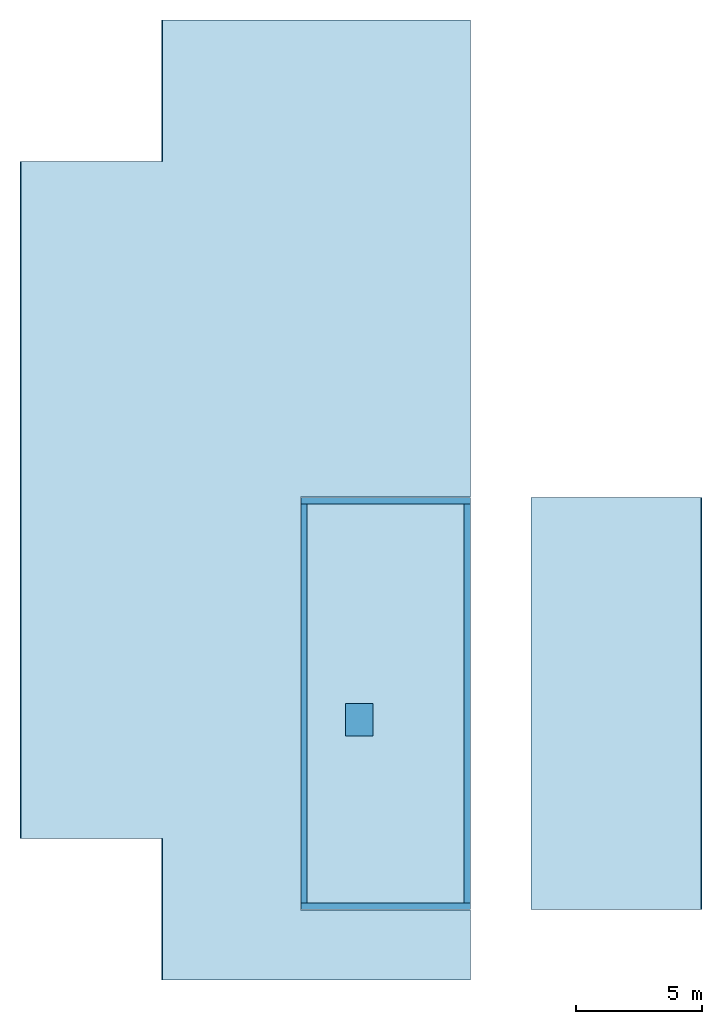
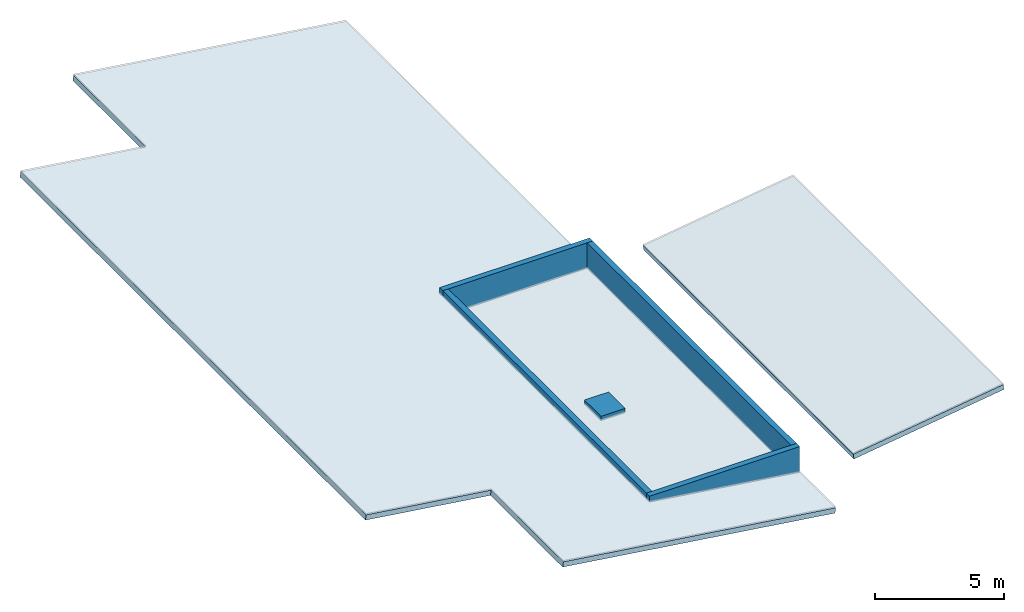
# One storey, part 1 of 2: 4 walls, 3 slabs, 1 discrete accessory.
"""IFC4 building model written with IfcOpenShell, lengths in metres."""

from ifc_helpers import new_model, si_unit, direction, frame, frame_2d, origin, origin_2d, place, context, subcontext, project, spatial, polyline, rectangle, outline, extrude, source, transform, mapped, material, layer, layer_set, type_object, type_shapes, element, save


model = new_model("IFC4")

# Units and contexts
model_context = context("Model", 3, precision=1e-05, world=origin(), true_north=direction((0.0, 1.0)))
body_context = subcontext(model_context, "Body", "Model", "MODEL_VIEW")
ifc_project = project(units=[si_unit("LENGTHUNIT", "METRE"), si_unit("AREAUNIT", "SQUARE_METRE"), si_unit("VOLUMEUNIT", "CUBIC_METRE"), si_unit("PLANEANGLEUNIT", "RADIAN"), si_unit("MASSUNIT", "GRAM", prefix="KILO")], contexts=[model_context])

# Site, building, storey
site_placement = place(None, origin())
site = spatial("IfcSite", under=ifc_project, at=site_placement, CompositionType="ELEMENT")
building_placement = place(site_placement, origin())
building = spatial("IfcBuilding", under=site, at=building_placement, Name="Krantzveldt Concourse Tower", CompositionType="ELEMENT")
storey_placement = place(building_placement, frame((0.0, 0.0, 389.0)))
storey = spatial("IfcBuildingStorey", under=building, at=storey_placement, Name="RF", CompositionType="ELEMENT", Elevation=389.0)

# Slabs
ifc_material_1 = material(Name="Precast concrete C40/50", Category="concrete")
ifc_layer_1 = layer(ifc_material_1, 0.239990234375, Name="Precast concrete C40/50", Category="concrete")
ifc_layer_set_1 = layer_set([ifc_layer_1], Name="Precast concrete C40/50 (SL-SL-CROOF240)")
slab_type = type_object("IfcSlabType", Name="SL-SL-CROOF240", PredefinedType="ROOF", material=ifc_layer_set_1)
slab_1_placement = place(storey_placement, origin())
element("IfcSlab", 1, at=slab_1_placement, inside=storey, type_object=slab_type, Name="RF West Core Roof Slab with Access Hatch Opening", PredefinedType="ROOF", context=body_context, shape_type="SweptSolid", body=[
    extrude(outline(polyline([(28.080078125, 10.5), (34.800048828125, 10.5), (34.800048828125, 26.800048828125), (28.080078125, 26.800048828125), (28.080078125, 10.5)]), holes=[polyline([(29.89990234375, 17.39990234375), (30.89990234375, 17.39990234375), (30.89990234375, 18.60009765625), (29.89990234375, 18.60009765625), (29.89990234375, 17.39990234375)])]), origin(), (0.0, 0.0, 1.0), 0.239990234375),
])
slab_2_placement = place(storey_placement, frame((34.800048828125, 7.699951171875, 0.236083984375), z_axis=(0.139163875632, 0.0, 0.990269365233), x_axis=(-0.990269365233, 0.0, 0.139163875632)))
element("IfcSlab", 2, at=slab_2_placement, inside=storey, type_object=slab_type, Name="SL-RF-WEST_ROOF", PredefinedType="ROOF", context=body_context, shape_type="SweptSolid", body=[
    extrude(outline(polyline([(0.0, 0.0), (12.319848229644682, 0.0), (12.319848229644682, -5.60009765625), (17.974956596558204, -5.60009765625), (17.974956596558204, -32.400146484375), (12.319848229644682, -32.400146484375), (12.319848229644682, -38.0), (0.0, -38.0), (0.0, -19.1201171875), (6.785998571529411, -19.1201171875), (6.787966666938956, -19.119873046875), (6.7899347623485005, -19.11962890625), (6.791902857758045, -19.119140625), (6.79387095316759, -19.118408203125), (6.795597283595389, -19.11767578125), (6.797323614023187, -19.11669921875), (6.79880817946924, -19.115478515625), (6.800292744915293, -19.1142578125), (6.801777310361345, -19.11279296875), (6.802778345843905, -19.111083984375), (6.803987170752636, -19.109375), (6.8047464412534495, -19.107666015625), (6.8054717361986885, -19.10595703125), (6.805955266162181, -19.10400390625), (6.806231006699502, -19.10205078125), (6.806231006699502, -19.10009765625), (6.806231006699502, -2.800048828125), (6.806231006699502, -2.798095703125), (6.805955266162181, -2.796142578125), (6.8054717361986885, -2.794189453125), (6.8047464412534495, -2.79248046875), (6.803987170752636, -2.79052734375), (6.802778345843905, -2.788818359375), (6.801777310361345, -2.787353515625), (6.800292744915293, -2.785888671875), (6.79880817946924, -2.78466796875), (6.797323614023187, -2.783447265625), (6.795597283595389, -2.782470703125), (6.79387095316759, -2.781494140625), (6.791902857758045, -2.781005859375), (6.7899347623485005, -2.780517578125), (6.787966666938956, -2.780029296875), (6.785998571529411, -2.780029296875), (0.0, -2.780029296875), (0.0, 0.0)])), origin(), (0.0, 0.0, -1.0), 0.239990234375),
])
slab_3_placement = place(storey_placement, frame((37.199951171875, 10.5, 0.236083984375), z_axis=(-0.139159466, 0.0, 0.990269984915), x_axis=(0.990269984915, 0.0, 0.139159466)))
element("IfcSlab", 3, at=slab_3_placement, inside=storey, type_object=slab_type, Name="SL-RF-EAST_HH_ROOF", PredefinedType="ROOF", context=body_context, shape_type="SweptSolid", body=[
    extrude(outline(polyline([(0.0, 0.0), (6.78599857159669, 0.0), (6.78599857159669, 16.300048828125), (0.0, 16.300048828125), (0.0, 0.0)])), origin(), (0.0, 0.0, -1.0), 0.239990234375),
])

# Walls
ifc_layer_2 = layer(ifc_material_1, 0.25, Name="Precast concrete C40/50", Category="concrete")
ifc_layer_set_2 = layer_set([ifc_layer_2], Name="Precast concrete C40/50 (WL-PARAPET-250)")
wall_type = type_object("IfcWallType", Name="WL-PARAPET-250", PredefinedType="PARAPET", material=ifc_layer_set_2)
wall_1_placement = place(storey_placement, frame((28.080078125, 26.675048828125, 0.239990234375), z_axis=(0.0, 0.0, 1.0), x_axis=(1.0, 0.0, 0.0)))
element("IfcWall", 4, at=wall_1_placement, inside=storey, type_object=wall_type, Name="WL-RF-WHH-PAR-N", PredefinedType="PARAPET", context=body_context, shape_type="SweptSolid", body=[
    extrude(rectangle(XDim=6.719970703125, YDim=0.25, at=frame_2d((3.35986328125, 0.0))), origin(), (0.0, 0.0, 1.0), 1.199951171875),
])
wall_2_placement = place(storey_placement, frame((34.675048828125, 10.75, 0.239990234375), z_axis=(0.0, 0.0, 1.0), x_axis=(0.0, 1.0, 0.0)))
element("IfcWall", 5, at=wall_2_placement, inside=storey, type_object=wall_type, Name="WL-RF-WHH-PAR-E", PredefinedType="PARAPET", context=body_context, shape_type="SweptSolid", body=[
    extrude(rectangle(XDim=15.800048828125, YDim=0.25, at=frame_2d((7.89990234375, 0.0))), origin(), (0.0, 0.0, 1.0), 1.199951171875),
])
wall_3_placement = place(storey_placement, frame((28.080078125, 10.625, 0.239990234375), z_axis=(0.0, 0.0, 1.0), x_axis=(1.0, 0.0, 0.0)))
element("IfcWall", 6, at=wall_3_placement, inside=storey, type_object=wall_type, Name="WL-RF-WHH-PAR-S", PredefinedType="PARAPET", context=body_context, shape_type="SweptSolid", body=[
    extrude(rectangle(XDim=6.719970703125, YDim=0.25, at=frame_2d((3.35986328125, 0.0))), origin(), (0.0, 0.0, 1.0), 1.199951171875),
])
wall_4_placement = place(storey_placement, frame((28.205078125, 10.75, 0.239990234375), z_axis=(0.0, 0.0, 1.0), x_axis=(0.0, 1.0, 0.0)))
element("IfcWall", 7, at=wall_4_placement, inside=storey, type_object=wall_type, Name="WL-RF-WHH-PAR-W", PredefinedType="PARAPET", context=body_context, shape_type="SweptSolid", body=[
    extrude(rectangle(XDim=15.800048828125, YDim=0.25, at=frame_2d((7.89990234375, 0.0))), origin(), (0.0, 0.0, 1.0), 1.199951171875),
])

# Discrete accessory
ifc_material_2 = material(Name="Anodised aluminium 6063-T6", Category="aluminium")
discrete_accessory_type = type_object("IfcDiscreteAccessoryType", Name="ACC-ROOF-HATCH", PredefinedType="USERDEFINED", material=ifc_material_2)
shared_shape = source(origin(), body_context, "Body", "SweptSolid", [
    extrude(rectangle(XDim=1.080078125, YDim=1.280029296875, at=origin_2d()), origin(), (0.0, 0.0, 1.0), 0.219970703125),
])
type_shapes(discrete_accessory_type, [shared_shape])
discrete_accessory_placement = place(storey_placement, frame((30.39990234375, 18.0, 0.22021484375), z_axis=(0.0, 0.0, 1.0), x_axis=(1.0, 0.0, 0.0)))
element("IfcDiscreteAccessory", 8, at=discrete_accessory_placement, inside=storey, type_object=discrete_accessory_type, Name="Roof Access Hatch HT-RF-01", ObjectType="ROOF HATCH", PredefinedType="USERDEFINED", context=body_context, shape_type="MappedRepresentation", body=[
    mapped(shared_shape, transform((0.0, 0.0, 0.0), x_axis=(1.0, 0.0, 0.0), y_axis=(0.0, 1.0, 0.0), z_axis=(0.0, 0.0, 1.0), scale=1.0)),
])

save(model, "model.ifc")
